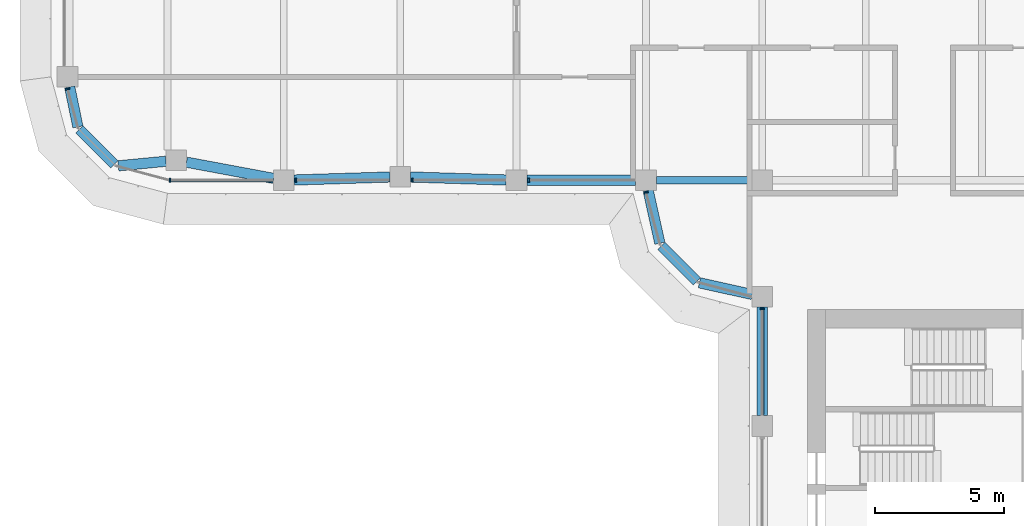
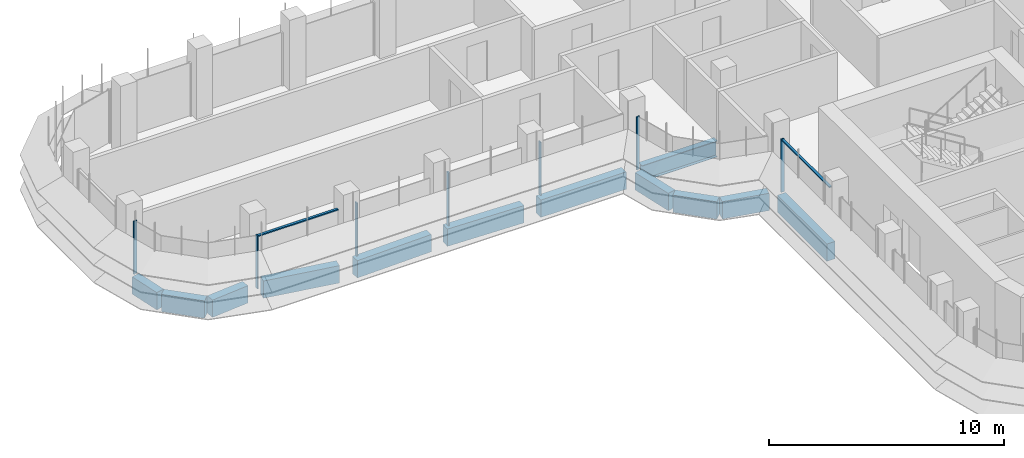
# One storey, part 3 of 19: 12 beams, 9 members, 4 elements without a shape of their own.
"""IFC4 building model written with IfcOpenShell, lengths in metres."""

from ifc_helpers import new_model, si_unit, direction, frame, origin, origin_2d, place, context, subcontext, project, spatial, polyline, rectangle, i_section, outline, extrude, source, transform, mapped, material, material_profile, profile_set, type_object, element, aggregate, save


model = new_model("IFC4")

# Units and contexts
model_context = context("Model", 3, precision=1e-05, world=origin(), true_north=direction((0.0, 1.0)))
body_context = subcontext(model_context, "Body", "Model", "MODEL_VIEW")
ifc_project = project(units=[si_unit("LENGTHUNIT", "METRE"), si_unit("AREAUNIT", "SQUARE_METRE"), si_unit("VOLUMEUNIT", "CUBIC_METRE"), si_unit("PLANEANGLEUNIT", "RADIAN"), si_unit("MASSUNIT", "GRAM", prefix="KILO")], contexts=[model_context])

# Site, building, storey
site_placement = place(None, origin())
site = spatial("IfcSite", under=ifc_project, at=site_placement, CompositionType="ELEMENT")
building_placement = place(site_placement, origin())
building = spatial("IfcBuilding", under=site, at=building_placement, Name="Zarbagh Exchange Tower", CompositionType="ELEMENT")
storey_placement = place(building_placement, frame((0.0, 0.0, 175.199951171875)))
storey = spatial("IfcBuildingStorey", under=building, at=storey_placement, Name="L42", CompositionType="ELEMENT", Elevation=175.199951171875)

# Beams
ifc_material_1 = material(Name="Steel ASTM A992 Gr 50", Category="steel")
ifc_material_profile_1 = material_profile(ifc_material_1, i_section(OverallWidth=0.2919921875, OverallDepth=0.835693359375, WebThickness=0.013916015625, FlangeThickness=0.018798828125, at=origin_2d()), Name="W33X118")
ifc_profile_set_1 = profile_set([ifc_material_profile_1], Name="Steel ASTM A992 Gr 50")
beam_type_1 = type_object("IfcBeamType", Name="Floor girder W33X118", PredefinedType="BEAM", material=ifc_profile_set_1)
beam_1_placement = place(storey_placement, frame((-10.35009765625, -6.25, -0.56787109375), z_axis=(1.0, 0.0, 0.0), x_axis=(0.0, 1.0, 0.0)))
element("IfcBeam", 1, at=beam_1_placement, inside=storey, type_object=beam_type_1, Name="Steel girder", PredefinedType="BEAM", context=body_context, shape_type="SweptSolid", body=[
    extrude(i_section(OverallWidth=0.2919921875, OverallDepth=0.835693359375, WebThickness=0.013916015625, FlangeThickness=0.018798828125, at=origin_2d()), origin(), (0.0, 0.0, 1.0), 3.7001953125),
])
ifc_material_2 = material(Name="Concrete C50/60", Category="concrete")
ifc_material_profile_2 = material_profile(ifc_material_2, rectangle(XDim=0.39990234375, YDim=0.89990234375, at=origin_2d()), Name="RC spandrel beam 400 x 900 C50/60")
ifc_profile_set_2 = profile_set([ifc_material_profile_2], Name="Concrete C50/60")
beam_type_2 = type_object("IfcBeamType", Name="RC spandrel beam 400 x 900 C50/60", PredefinedType="SPANDREL", material=ifc_profile_set_2)
beam_2_placement = place(storey_placement, frame((-6.25, -15.35009765625, -0.599853515625), z_axis=(0.0, 1.0, 0.0), x_axis=(-1.0, 0.0, 0.0)))
element("IfcBeam", 2, at=beam_2_placement, inside=storey, type_object=beam_type_2, Name="RC spandrel beam", PredefinedType="SPANDREL", context=body_context, shape_type="SweptSolid", body=[
    extrude(rectangle(XDim=0.39990234375, YDim=0.89990234375, at=origin_2d()), origin(), (0.0, 0.0, 1.0), 4.2001953125),
])
beam_3_placement = place(storey_placement, frame((-6.640625, -10.66357421875, -0.599853515625), z_axis=(-0.976384278741, 0.216041061437, 0.0), x_axis=(-0.216041061437, -0.976384278741, 0.0)))
element("IfcBeam", 3, at=beam_3_placement, inside=storey, type_object=beam_type_2, Name="RC spandrel beam", PredefinedType="SPANDREL", context=body_context, shape_type="SweptSolid", body=[
    extrude(rectangle(XDim=0.39990234375, YDim=0.89990234375, at=origin_2d()), origin(), (0.0, 0.0, 1.0), 2.0927734375),
])
beam_4_placement = place(storey_placement, frame((-8.782470703125, -10.15771484375, -0.599853515625), z_axis=(-0.707106781187, 0.707106781187, 0.0), x_axis=(-0.707106781187, -0.707106781187, 0.0)))
element("IfcBeam", 4, at=beam_4_placement, inside=storey, type_object=beam_type_2, Name="RC spandrel beam", PredefinedType="SPANDREL", context=body_context, shape_type="SweptSolid", body=[
    extrude(rectangle(XDim=0.39990234375, YDim=0.89990234375, at=origin_2d()), origin(), (0.0, 0.0, 1.0), 1.94482421875),
])
beam_5_placement = place(storey_placement, frame((-10.21142578125, -8.68408203125, -0.599853515625), z_axis=(-0.216041061437, 0.976384278741, 0.0), x_axis=(-0.976384278741, -0.216041061437, 0.0)))
element("IfcBeam", 5, at=beam_5_placement, inside=storey, type_object=beam_type_2, Name="RC spandrel beam", PredefinedType="SPANDREL", context=body_context, shape_type="SweptSolid", body=[
    extrude(rectangle(XDim=0.39990234375, YDim=0.89990234375, at=origin_2d()), origin(), (0.0, 0.0, 1.0), 2.0927734375),
])
beam_6_placement = place(storey_placement, frame((-11.14990234375, -6.25, -0.599853515625), z_axis=(-1.0, 0.0, 0.0), x_axis=(0.0, -1.0, 0.0)))
element("IfcBeam", 6, at=beam_6_placement, inside=storey, type_object=beam_type_2, Name="RC spandrel beam", PredefinedType="SPANDREL", context=body_context, shape_type="SweptSolid", body=[
    extrude(rectangle(XDim=0.39990234375, YDim=0.89990234375, at=origin_2d()), origin(), (0.0, 0.0, 1.0), 4.2001953125),
])
for number, where, z_axis, x_axis, name in (
    (7, (-16.14990234375, -6.237548828125, -0.599853515625), (-0.999515416033, 0.031127690444, 0.0), (-0.031127690444, -0.999515416033, 0.0), "RC spandrel beam"),
    (8, (-20.64990234375, -6.122314453125, -0.599853515625), (-0.999515416033, -0.031127690444, 0.0), (0.031127690444, -0.999515416033, 0.0), "RC spandrel beam"),
):
    element("IfcBeam", number, at=place(storey_placement, frame(where, z_axis=z_axis, x_axis=x_axis)), inside=storey, type_object=beam_type_2, Name=name, PredefinedType="SPANDREL", context=body_context, shape_type="SweptSolid", body=[
        extrude(rectangle(XDim=0.39990234375, YDim=0.89990234375, at=origin_2d()), origin(), (0.0, 0.0, 1.0), 3.701904296875),
    ])
beam_7_placement = place(storey_placement, frame((-25.143310546875, -6.1767578125, -0.599853515625), z_axis=(-0.983069862768, 0.183231124313, 0.0), x_axis=(-0.183231124313, -0.983069862768, 0.0)))
element("IfcBeam", 9, at=beam_7_placement, inside=storey, type_object=beam_type_2, Name="RC spandrel beam", PredefinedType="SPANDREL", context=body_context, shape_type="SweptSolid", body=[
    extrude(rectangle(XDim=0.39990234375, YDim=0.89990234375, at=origin_2d()), origin(), (0.0, 0.0, 1.0), 3.4296875),
])
beam_8_placement = place(storey_placement, frame((-29.30615234375, -5.51318359375, -0.599853515625), z_axis=(-0.995435353267, -0.095438239015, 0.0), x_axis=(0.095438239015, -0.995435353267, 0.0)))
element("IfcBeam", 10, at=beam_8_placement, inside=storey, type_object=beam_type_2, Name="RC spandrel beam", PredefinedType="SPANDREL", context=body_context, shape_type="SweptSolid", body=[
    extrude(rectangle(XDim=0.39990234375, YDim=0.89990234375, at=origin_2d()), origin(), (0.0, 0.0, 1.0), 1.849609375),
])
beam_9_placement = place(storey_placement, frame((-31.307861328125, -5.632080078125, -0.599853515625), z_axis=(-0.707106781187, 0.707106781187, 0.0), x_axis=(-0.707106781187, -0.707106781187, 0.0)))
element("IfcBeam", 11, at=beam_9_placement, inside=storey, type_object=beam_type_2, Name="RC spandrel beam", PredefinedType="SPANDREL", context=body_context, shape_type="SweptSolid", body=[
    extrude(rectangle(XDim=0.39990234375, YDim=0.89990234375, at=origin_2d()), origin(), (0.0, 0.0, 1.0), 1.9072265625),
])
beam_10_placement = place(storey_placement, frame((-32.7109375, -4.1826171875, -0.599853515625), z_axis=(-0.20216948151, 0.979350550491, 0.0), x_axis=(-0.979350550491, -0.20216948151, 0.0)))
element("IfcBeam", 12, at=beam_10_placement, inside=storey, type_object=beam_type_2, Name="RC spandrel beam", PredefinedType="SPANDREL", context=body_context, shape_type="SweptSolid", body=[
    extrude(rectangle(XDim=0.39990234375, YDim=0.89990234375, at=origin_2d()), origin(), (0.0, 0.0, 1.0), 1.573486328125),
])

# Curtain wall, member
ifc_material_3 = material(Name="Anodised aluminium frame and glazing", Category="aluminium")
curtain_wall_type = type_object("IfcCurtainWallType", Name="CWB Ribbon glazing, upper zones", PredefinedType="NOTDEFINED", material=ifc_material_3)
curtain_wall_1_placement = place(storey_placement, origin())
curtain_wall_1 = element("IfcCurtainWall", 13, at=curtain_wall_1_placement, inside=storey, type_object=curtain_wall_type, Name="CWB37 curtain wall", PredefinedType="NOTDEFINED")
ifc_material_4 = material(Name="Anodised aluminium frame", Category="aluminium")
member_type_1 = type_object("IfcMemberType", Name="MUB Mullion, anodised aluminium frame", PredefinedType="MULLION", material=ifc_material_4)
shared_shape_1 = source(origin(), body_context, "Body", "SweptSolid", [
    extrude(outline(polyline([(0.0, -0.080078125), (0.06005859375, -0.080078125), (0.06005859375, 0.080078125), (0.0, 0.080078125), (0.0, -0.080078125)])), origin(), (0.0, 0.0, 1.0), 2.75),
])
placement = place(storey_placement, origin())
member_1 = element("IfcMember", 14, at=placement, type_object=member_type_1, Name="CWB37 mullion 1.1", PredefinedType="MULLION", context=body_context, shape_type="MappedRepresentation", body=[
    mapped(shared_shape_1, transform((-33.114501953125, -2.68994140625, 0.0), x_axis=(0.258824779902, -0.965924289636, 0.0), y_axis=(0.965924289636, 0.258824779902, 0.0), z_axis=(0.0, 0.0, 1.0))),
])
aggregate(curtain_wall_1, [member_1])

# Curtain wall, members
curtain_wall_2_placement = place(storey_placement, origin())
curtain_wall_2 = element("IfcCurtainWall", 15, at=curtain_wall_2_placement, inside=storey, type_object=curtain_wall_type, Name="CWB40 curtain wall", PredefinedType="NOTDEFINED")
member_2 = element("IfcMember", 16, at=placement, type_object=member_type_1, Name="CWB40 mullion 1.1", PredefinedType="MULLION", context=body_context, shape_type="MappedRepresentation", body=[
    mapped(shared_shape_1, transform((-29.18408203125, -6.25, 0.0), x_axis=(1.0, 0.0, 0.0), y_axis=(0.0, 1.0, 0.0), z_axis=(0.0, 0.0, 1.0))),
])
member_3 = element("IfcMember", 17, at=placement, type_object=member_type_1, Name="CWB40 mullion 2.1", PredefinedType="MULLION", context=body_context, shape_type="MappedRepresentation", body=[
    mapped(shared_shape_1, transform((-24.31005859375, -6.25, 0.0), x_axis=(1.0, 0.0, 0.0), y_axis=(0.0, 1.0, 0.0), z_axis=(0.0, 0.0, 1.0))),
])
member_4 = element("IfcMember", 18, at=placement, type_object=member_type_1, Name="CWB40 mullion 3.1", PredefinedType="MULLION", context=body_context, shape_type="MappedRepresentation", body=[
    mapped(shared_shape_1, transform((-19.81005859375, -6.25, 0.0), x_axis=(1.0, 0.0, 0.0), y_axis=(0.0, 1.0, 0.0), z_axis=(0.0, 0.0, 1.0))),
])
member_5 = element("IfcMember", 19, at=placement, type_object=member_type_1, Name="CWB40 mullion 4.1", PredefinedType="MULLION", context=body_context, shape_type="MappedRepresentation", body=[
    mapped(shared_shape_1, transform((-15.31005859375, -6.25, 0.0), x_axis=(1.0, 0.0, 0.0), y_axis=(0.0, 1.0, 0.0), z_axis=(0.0, 0.0, 1.0))),
])

# Curtain wall, member
curtain_wall_3_placement = place(storey_placement, origin())
curtain_wall_3 = element("IfcCurtainWall", 20, at=curtain_wall_3_placement, inside=storey, type_object=curtain_wall_type, Name="CWB41 curtain wall", PredefinedType="NOTDEFINED")
member_6 = element("IfcMember", 21, at=placement, type_object=member_type_1, Name="CWB41 mullion 1.1", PredefinedType="MULLION", context=body_context, shape_type="MappedRepresentation", body=[
    mapped(shared_shape_1, transform((-10.74853515625, -6.68994140625, 0.0), x_axis=(0.258824779902, -0.965924289636, 0.0), y_axis=(0.965924289636, 0.258824779902, 0.0), z_axis=(0.0, 0.0, 1.0))),
])
aggregate(curtain_wall_3, [member_6])

# Curtain wall, members
curtain_wall_4_placement = place(storey_placement, origin())
curtain_wall_4 = element("IfcCurtainWall", 22, at=curtain_wall_4_placement, inside=storey, type_object=curtain_wall_type, Name="CWB53 curtain wall", PredefinedType="NOTDEFINED")
member_7 = element("IfcMember", 23, at=placement, type_object=member_type_1, Name="CWB53 mullion 1.1", PredefinedType="MULLION", context=body_context, shape_type="MappedRepresentation", body=[
    mapped(shared_shape_1, transform((-6.25, -11.18994140625, 0.0), x_axis=(0.0, -1.0, 0.0), y_axis=(1.0, 0.0, 0.0), z_axis=(0.0, 0.0, 1.0))),
])
member_type_2 = type_object("IfcMemberType", Name="TRB Transom, anodised aluminium frame", PredefinedType="USERDEFINED", material=ifc_material_4)
shared_shape_2 = source(origin(), body_context, "Body", "SweptSolid", [
    extrude(outline(polyline([(-0.06005859375, -0.06005859375), (0.0, -0.06005859375), (0.0, 0.06005859375), (-0.06005859375, 0.06005859375), (-0.06005859375, -0.06005859375)])), origin(), (0.0, 0.0, 1.0), 4.06005859375),
])
member_8 = element("IfcMember", 24, at=placement, type_object=member_type_2, Name="CWB53 transom 1.1", ObjectType="TRANSOM", PredefinedType="USERDEFINED", context=body_context, shape_type="MappedRepresentation", body=[
    mapped(shared_shape_2, transform((-6.25, -11.25, 2.75), x_axis=(0.0, 0.0, 1.0), y_axis=(-1.0, 0.0, 0.0), z_axis=(0.0, -1.0, 0.0))),
])
aggregate(curtain_wall_4, [member_7, member_8])

# Member
shared_shape_3 = source(origin(), body_context, "Body", "SweptSolid", [
    extrude(outline(polyline([(-0.06005859375, -0.06005859375), (0.0, -0.06005859375), (0.0, 0.06005859375), (-0.06005859375, 0.06005859375), (-0.06005859375, -0.06005859375)])), origin(), (0.0, 0.0, 1.0), 3.93408203125),
])
member_9 = element("IfcMember", 25, at=placement, type_object=member_type_2, Name="CWB40 transom 1.1", ObjectType="TRANSOM", PredefinedType="USERDEFINED", context=body_context, shape_type="MappedRepresentation", body=[
    mapped(shared_shape_3, transform((-29.124267578125, -6.25, 2.75), x_axis=(0.0, 0.0, 1.0), y_axis=(0.0, -1.0, 0.0), z_axis=(1.0, 0.0, 0.0))),
])

aggregate(curtain_wall_2, [member_2, member_9, member_3, member_4, member_5])

save(model, "model.ifc")
